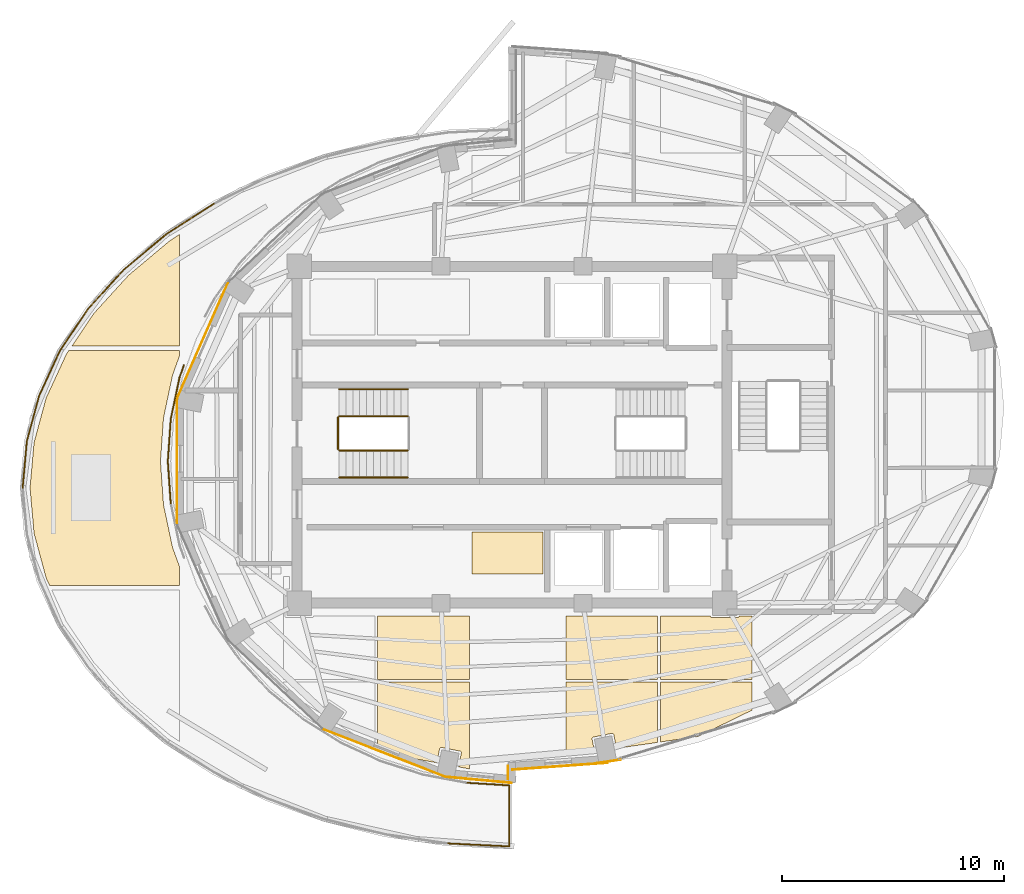
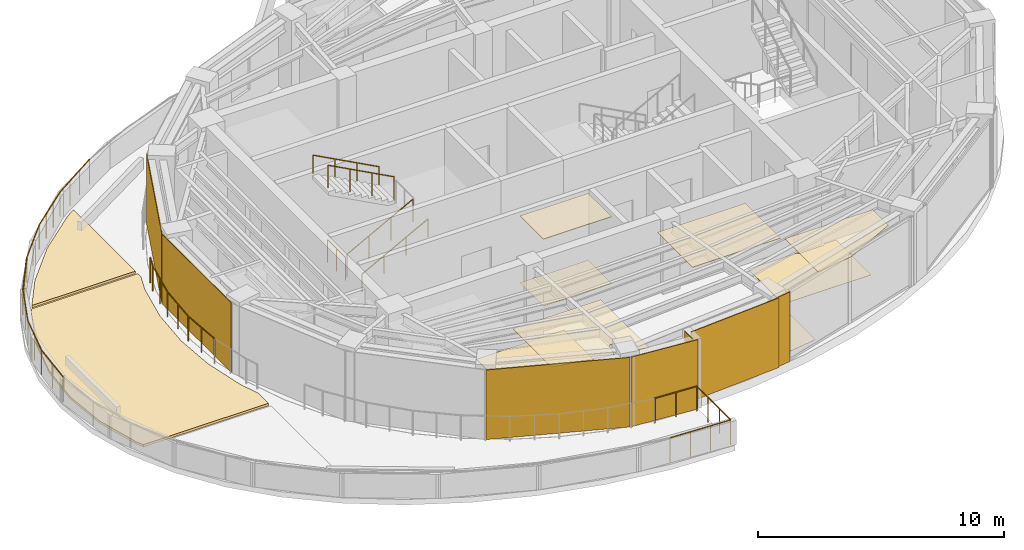
# One storey, part 13 of 15: 19 railings, 17 coverings.
"""IFC4 building model written with IfcOpenShell, lengths in metres."""

from ifc_helpers import new_model, si_unit, direction, frame, origin, origin_2d, place, context, subcontext, project, spatial, polyline, rectangle, circle, outline, extrude, material, layer, layer_set, type_object, element, save


model = new_model("IFC4")

# Units and contexts
model_context = context("Model", 3, precision=1e-05, world=origin(), true_north=direction((0.0, 1.0)))
body_context = subcontext(model_context, "Body", "Model", "MODEL_VIEW")
ifc_project = project(units=[si_unit("LENGTHUNIT", "METRE"), si_unit("AREAUNIT", "SQUARE_METRE"), si_unit("VOLUMEUNIT", "CUBIC_METRE"), si_unit("PLANEANGLEUNIT", "RADIAN"), si_unit("MASSUNIT", "GRAM", prefix="KILO")], contexts=[model_context])

# Site, building, storey
site_placement = place(None, origin())
site = spatial("IfcSite", under=ifc_project, at=site_placement, CompositionType="ELEMENT")
building_placement = place(site_placement, origin())
building = spatial("IfcBuilding", under=site, at=building_placement, Name="Lazwardi Medical Tower", CompositionType="ELEMENT")
storey_placement = place(building_placement, frame((0.0, 0.0, 269.615966796875)))
storey = spatial("IfcBuildingStorey", under=building, at=storey_placement, Name="L70", CompositionType="ELEMENT", Elevation=269.615966796875)

# Coverings
ifc_material_1 = material(Name="Anodised bronze aluminium cassette cladding", Category="aluminium")
ifc_layer_1 = layer(ifc_material_1, 0.030029296875)
ifc_layer_set_1 = layer_set([ifc_layer_1], Name="Anodised bronze aluminium cassette cladding")
covering_type_1 = type_object("IfcCoveringType", Name="COV-CLD-BRZ", PredefinedType="CLADDING", material=ifc_layer_set_1)
covering_1_placement = place(storey_placement, frame((40.3232421875, 13.25048828125, 0.0), z_axis=(0.0, 0.0, 1.0), x_axis=(0.989512431533, 0.144447733943, 0.0)))
element("IfcCovering", 1, at=covering_1_placement, inside=storey, type_object=covering_type_1, Name="L70 Mega-column bronze cassette cover M01", PredefinedType="CLADDING", context=body_context, shape_type="SweptSolid", body=[
    extrude(rectangle(XDim=1.188720703125, YDim=0.030029296875, at=origin_2d()), origin(), (0.0, 0.0, 1.0), 3.447998046875),
])
covering_2_placement = place(storey_placement, frame((22.032470703125, 32.25146484375, 0.0), z_axis=(0.0, 0.0, 1.0), x_axis=(-0.402877682365, -0.915253829848, 0.0)))
element("IfcCovering", 2, at=covering_2_placement, inside=storey, type_object=covering_type_1, Name="L70 West drum ceramic/bronze cladding", PredefinedType="CLADDING", context=body_context, shape_type="SweptSolid", body=[
    extrude(rectangle(XDim=5.65576171875, YDim=0.030029296875, at=origin_2d()), origin(), (0.0, 0.0, 1.0), 3.447998046875),
])
covering_3_placement = place(storey_placement, frame((20.880126953125, 26.800048828125, 0.0), z_axis=(0.0, 0.0, 1.0), x_axis=(0.0, -1.0, 0.0)))
element("IfcCovering", 3, at=covering_3_placement, inside=storey, type_object=covering_type_1, Name="L70 West drum ceramic/bronze cladding", PredefinedType="CLADDING", context=body_context, shape_type="SweptSolid", body=[
    extrude(rectangle(XDim=5.60302734375, YDim=0.030029296875, at=origin_2d()), origin(), (0.0, 0.0, 1.0), 3.447998046875),
])
ifc_material_2 = material(Name="Turquoise glazed ceramic tilework cladding", Category="masonry")
ifc_layer_2 = layer(ifc_material_2, 0.034912109375)
ifc_layer_set_2 = layer_set([ifc_layer_2], Name="Turquoise glazed ceramic tilework cladding")
covering_type_2 = type_object("IfcCoveringType", Name="COV-CLD-TRQ", PredefinedType="CLADDING", material=ifc_layer_set_2)
covering_4_placement = place(storey_placement, frame((30.216064453125, 13.64306640625, 0.0), z_axis=(0.0, 0.0, 1.0), x_axis=(0.931720388261, -0.363176428337, 0.0)))
element("IfcCovering", 4, at=covering_4_placement, inside=storey, type_object=covering_type_2, Name="L70 West drum ceramic/bronze cladding", PredefinedType="CLADDING", context=body_context, shape_type="SweptSolid", body=[
    extrude(rectangle(XDim=5.904052734375, YDim=0.034912109375, at=origin_2d()), origin(), (0.0, 0.0, 1.0), 3.447998046875),
])
covering_5_placement = place(storey_placement, frame((38.16259765625, 13.0400390625, 0.0), z_axis=(0.0, 0.0, 1.0), x_axis=(0.997409491337, 0.071932653157, 0.0)))
element("IfcCovering", 5, at=covering_5_placement, inside=storey, type_object=covering_type_2, Name="L70 Turquoise glazed ceramic tilework cladding", PredefinedType="CLADDING", context=body_context, shape_type="SweptSolid", body=[
    extrude(rectangle(XDim=4.31103515625, YDim=0.034912109375, at=origin_2d()), origin(), (0.0, 0.0, 1.0), 3.447998046875),
])
covering_6_placement = place(storey_placement, frame((34.4970703125, 12.423095703125, 0.0), z_axis=(0.0, 0.0, 1.0), x_axis=(0.995733560537, -0.092275004312, 0.0)))
element("IfcCovering", 6, at=covering_6_placement, inside=storey, type_object=covering_type_2, Name="L70 Turquoise glazed ceramic tilework cladding", PredefinedType="CLADDING", context=body_context, shape_type="SweptSolid", body=[
    extrude(rectangle(XDim=2.985595703125, YDim=0.034912109375, at=origin_2d()), origin(), (0.0, 0.0, 1.0), 3.447998046875),
])
covering_7_placement = place(storey_placement, frame((35.824462890625, 12.760009765625, 0.0), z_axis=(0.0, 0.0, 1.0), x_axis=(0.0, 1.0, 0.0)))
element("IfcCovering", 7, at=covering_7_placement, inside=storey, type_object=covering_type_2, Name="L70 Turquoise glazed ceramic tilework iwan panel", PredefinedType="CLADDING", context=body_context, shape_type="SweptSolid", body=[
    extrude(rectangle(XDim=0.60009765625, YDim=0.034912109375, at=origin_2d()), origin(), (0.0, 0.0, 1.0), 3.447998046875),
])
ifc_material_3 = material(Name="Acoustic mineral fibre tile")
ifc_layer_3 = layer(ifc_material_3, 0.02490234375)
ifc_layer_set_3 = layer_set([ifc_layer_3], Name="Acoustic mineral fibre tile")
covering_type_3 = type_object("IfcCoveringType", Name="COV-CLG-01", PredefinedType="CEILING", material=ifc_layer_set_3)
covering_8_placement = place(storey_placement, frame((0.0, 0.0, 3.302978515625)))
element("IfcCovering", 8, at=covering_8_placement, inside=storey, type_object=covering_type_3, Name="L70 Clinical Acoustic Ceiling 4", PredefinedType="CEILING", context=body_context, shape_type="SweptSolid", body=[
    extrude(outline(polyline([(29.94189453125, 13.8115234375), (30.205322265625, 13.645751953125), (32.608642578125, 13.196044921875), (32.7333984375, 13.82373046875), (32.7353515625, 13.831298828125), (32.738037109375, 13.838623046875), (32.741455078125, 13.845703125), (32.74560546875, 13.8525390625), (32.750244140625, 13.85888671875), (32.75537109375, 13.86474609375), (32.76123046875, 13.869873046875), (32.767578125, 13.87451171875), (32.7744140625, 13.878662109375), (32.781494140625, 13.882080078125), (32.788818359375, 13.884765625), (32.79638671875, 13.88671875), (32.80419921875, 13.8876953125), (32.81201171875, 13.88818359375), (32.81982421875, 13.8876953125), (32.82763671875, 13.88671875), (33.6513671875, 13.72265625), (33.658935546875, 13.720703125), (33.66650390625, 13.718017578125), (33.673583984375, 13.71484375), (33.68017578125, 13.710693359375), (33.6865234375, 13.7060546875), (33.6923828125, 13.70068359375), (33.697509765625, 13.695068359375), (33.702392578125, 13.688720703125), (33.706298828125, 13.681884765625), (33.709716796875, 13.6748046875), (33.71240234375, 13.66748046875), (33.71435546875, 13.659912109375), (33.71533203125, 13.652099609375), (33.7158203125, 13.644287109375), (33.71533203125, 13.636474609375), (33.71435546875, 13.628662109375), (33.591552734375, 13.01220703125), (34.07177734375, 12.922119140625), (34.07177734375, 16.846435546875), (29.94189453125, 16.846435546875), (29.94189453125, 13.8115234375)])), origin(), (0.0, 0.0, 1.0), 0.025146484375),
])
covering_9_placement = place(storey_placement, frame((0.0, 0.0, 3.302978515625)))
element("IfcCovering", 9, at=covering_9_placement, inside=storey, type_object=covering_type_3, Name="L70 Clinical Acoustic Ceiling 5", PredefinedType="CEILING", context=body_context, shape_type="SweptSolid", body=[
    extrude(outline(polyline([(37.389892578125, 21.71630859375), (37.389892578125, 23.6201171875), (34.19189453125, 23.6201171875), (34.19189453125, 21.71630859375), (37.389892578125, 21.71630859375)])), origin(), (0.0, 0.0, 1.0), 0.025146484375),
])
covering_10_placement = place(storey_placement, frame((0.0, 0.0, 3.302978515625)))
element("IfcCovering", 10, at=covering_10_placement, inside=storey, type_object=covering_type_3, Name="L70 Clinical Acoustic Ceiling 7", PredefinedType="CEILING", context=body_context, shape_type="SweptSolid", body=[
    extrude(outline(polyline([(42.57177734375, 19.820068359375), (38.44189453125, 19.820068359375), (38.44189453125, 16.96630859375), (42.57177734375, 16.96630859375), (42.57177734375, 19.820068359375)])), origin(), (0.0, 0.0, 1.0), 0.025146484375),
])
covering_11_placement = place(storey_placement, frame((0.0, 0.0, 3.302978515625)))
element("IfcCovering", 11, at=covering_11_placement, inside=storey, type_object=covering_type_3, Name="L70 Clinical Acoustic Ceiling 8", PredefinedType="CEILING", context=body_context, shape_type="SweptSolid", body=[
    extrude(outline(polyline([(42.69189453125, 14.13525390625), (44.40283203125, 14.384521484375), (46.82177734375, 15.567626953125), (46.82177734375, 16.846435546875), (42.69189453125, 16.846435546875), (42.69189453125, 14.13525390625)])), origin(), (0.0, 0.0, 1.0), 0.025146484375),
])
ifc_material_4 = material(Name="Anti-static hospital vinyl sheet flooring")
ifc_layer_4 = layer(ifc_material_4, 0.014892578125)
ifc_layer_set_4 = layer_set([ifc_layer_4], Name="Anti-static hospital vinyl sheet flooring")
covering_type_4 = type_object("IfcCoveringType", Name="COV-FLR-01", PredefinedType="FLOORING", material=ifc_layer_set_4)
covering_12_placement = place(storey_placement, origin())
element("IfcCovering", 12, at=covering_12_placement, inside=storey, type_object=covering_type_4, Name="L70 Clinical Vinyl Flooring 3", PredefinedType="FLOORING", context=body_context, shape_type="SweptSolid", body=[
    extrude(outline(polyline([(34.07177734375, 19.820068359375), (29.94189453125, 19.820068359375), (29.94189453125, 16.96630859375), (34.07177734375, 16.96630859375), (34.07177734375, 19.820068359375)])), origin(), (0.0, 0.0, 1.0), 0.01513671875),
])
covering_13_placement = place(storey_placement, origin())
element("IfcCovering", 13, at=covering_13_placement, inside=storey, type_object=covering_type_4, Name="L70 Clinical Vinyl Flooring 5", PredefinedType="FLOORING", context=body_context, shape_type="SweptSolid", body=[
    extrude(outline(polyline([(37.389892578125, 21.71630859375), (37.389892578125, 23.6201171875), (34.19189453125, 23.6201171875), (34.19189453125, 21.71630859375), (37.389892578125, 21.71630859375)])), origin(), (0.0, 0.0, 1.0), 0.01513671875),
])
covering_14_placement = place(storey_placement, origin())
element("IfcCovering", 14, at=covering_14_placement, inside=storey, type_object=covering_type_4, Name="L70 Clinical Vinyl Flooring 7", PredefinedType="FLOORING", context=body_context, shape_type="SweptSolid", body=[
    extrude(outline(polyline([(38.44189453125, 13.516357421875), (39.723876953125, 13.703125), (39.6123046875, 14.26318359375), (39.611328125, 14.27099609375), (39.61083984375, 14.27880859375), (39.611328125, 14.28662109375), (39.6123046875, 14.29443359375), (39.6142578125, 14.302001953125), (39.616943359375, 14.309326171875), (39.620361328125, 14.31640625), (39.62451171875, 14.3232421875), (39.629150390625, 14.32958984375), (39.63427734375, 14.33544921875), (39.64013671875, 14.340576171875), (39.646484375, 14.34521484375), (39.6533203125, 14.349365234375), (39.660400390625, 14.352783203125), (39.667724609375, 14.35546875), (39.67529296875, 14.357421875), (40.4990234375, 14.521240234375), (40.5068359375, 14.522216796875), (40.5146484375, 14.522705078125), (40.5224609375, 14.522216796875), (40.5302734375, 14.521240234375), (40.537841796875, 14.519287109375), (40.54541015625, 14.5166015625), (40.552490234375, 14.51318359375), (40.55908203125, 14.50927734375), (40.5654296875, 14.50439453125), (40.5712890625, 14.499267578125), (40.576416015625, 14.493408203125), (40.581298828125, 14.4873046875), (40.585205078125, 14.48046875), (40.588623046875, 14.473388671875), (40.59130859375, 14.4658203125), (40.59326171875, 14.458251953125), (40.714599609375, 13.847412109375), (42.57177734375, 14.117919921875), (42.57177734375, 16.846435546875), (38.44189453125, 16.846435546875), (38.44189453125, 13.516357421875)])), origin(), (0.0, 0.0, 1.0), 0.01513671875),
])
covering_15_placement = place(storey_placement, origin())
element("IfcCovering", 15, at=covering_15_placement, inside=storey, type_object=covering_type_4, Name="L70 Clinical Vinyl Flooring 9", PredefinedType="FLOORING", context=body_context, shape_type="SweptSolid", body=[
    extrude(outline(polyline([(46.82177734375, 19.820068359375), (46.249267578125, 19.820068359375), (46.24853515625, 19.814453125), (46.24658203125, 19.806884765625), (46.243896484375, 19.79931640625), (46.240478515625, 19.792236328125), (46.236572265625, 19.78564453125), (46.231689453125, 19.779296875), (46.2265625, 19.7734375), (46.220703125, 19.768310546875), (46.21435546875, 19.763427734375), (46.207763671875, 19.759521484375), (46.20068359375, 19.756103515625), (46.193115234375, 19.75341796875), (46.185546875, 19.75146484375), (46.177734375, 19.75048828125), (46.169921875, 19.75), (45.030029296875, 19.75), (45.022216796875, 19.75048828125), (45.014404296875, 19.75146484375), (45.0068359375, 19.75341796875), (44.99951171875, 19.756103515625), (44.9921875, 19.759521484375), (44.985595703125, 19.763427734375), (44.979248046875, 19.768310546875), (44.973388671875, 19.7734375), (44.96826171875, 19.779296875), (44.96337890625, 19.78564453125), (44.95947265625, 19.792236328125), (44.9560546875, 19.79931640625), (44.953369140625, 19.806884765625), (44.951416015625, 19.814453125), (44.95068359375, 19.820068359375), (42.69189453125, 19.820068359375), (42.69189453125, 16.96630859375), (46.82177734375, 16.96630859375), (46.82177734375, 19.820068359375)])), origin(), (0.0, 0.0, 1.0), 0.01513671875),
])
ifc_material_5 = material(Name="EPDM waterproof membrane and XPS insulation")
ifc_layer_5 = layer(ifc_material_5, 0.1201171875)
ifc_layer_set_5 = layer_set([ifc_layer_5], Name="EPDM waterproof membrane and XPS insulation")
covering_type_5 = type_object("IfcCoveringType", Name="COV-ROOF-01", PredefinedType="ROOFING", material=ifc_layer_set_5)
covering_16_placement = place(storey_placement, origin())
element("IfcCovering", 16, at=covering_16_placement, inside=storey, type_object=covering_type_5, Name="L70 West Terrace Waterproofing Membrane 2", PredefinedType="ROOFING", context=body_context, shape_type="SweptSolid", body=[
    extrude(outline(polyline([(21.0, 31.563232421875), (21.0, 31.800048828125), (16.006591796875, 31.800048828125), (15.88330078125, 31.616455078125), (14.980712890625, 29.664306640625), (14.4345703125, 27.648193359375), (14.251708984375, 25.60009765625), (14.4345703125, 23.5517578125), (14.980712890625, 21.53564453125), (15.135986328125, 21.199951171875), (21.0, 21.199951171875), (21.0, 22.036865234375), (20.69189453125, 22.89111328125), (20.6826171875, 22.920654296875), (20.68212890625, 22.921875), (20.674560546875, 22.951904296875), (20.281494140625, 24.812255859375), (20.276123046875, 24.843017578125), (20.276123046875, 24.844482421875), (20.272705078125, 24.87548828125), (20.14111328125, 26.76806640625), (20.139892578125, 26.79931640625), (20.139892578125, 26.80078125), (20.14111328125, 26.831787109375), (20.272705078125, 28.724609375), (20.276123046875, 28.755615234375), (20.276123046875, 28.7568359375), (20.281494140625, 28.78759765625), (20.674560546875, 30.64794921875), (20.68212890625, 30.677978515625), (20.6826171875, 30.679443359375), (20.69189453125, 30.708984375), (21.0, 31.563232421875)])), origin(), (0.0, 0.0, 1.0), 0.1201171875),
])
covering_17_placement = place(storey_placement, origin())
element("IfcCovering", 17, at=covering_17_placement, inside=storey, type_object=covering_type_5, Name="L70 West Terrace Waterproofing Membrane 3", PredefinedType="ROOFING", context=body_context, shape_type="SweptSolid", body=[
    extrude(outline(polyline([(16.14111328125, 32.0), (21.0, 32.0), (21.0, 37.039794921875), (20.569580078125, 36.7626953125), (18.699951171875, 35.197509765625), (17.12939453125, 33.4716796875), (16.14111328125, 32.0)])), origin(), (0.0, 0.0, 1.0), 0.1201171875),
])

# Railings
ifc_material_6 = material(Name="Stainless steel Grade 316", Category="steel")
railing_type_1 = type_object("IfcRailingType", Name="RLG-GRD-1150", PredefinedType="GUARDRAIL", material=ifc_material_6)
railing_1_placement = place(storey_placement, frame((28.199951171875, 27.2900390625, 0.165771484375)))
element("IfcRailing", 18, at=railing_1_placement, inside=storey, type_object=railing_type_1, Name="L70 ST1 stair guard 1", PredefinedType="GUARDRAIL", context=body_context, shape_type="SweptSolid", body=[
    extrude(circle(Radius=0.02392578125, at=origin_2d()), frame((0.0, 0.0, 1.1259765625), z_axis=(0.881783298633, 0.0, 0.471654761719), x_axis=(0.0, 1.0, 0.0)), (0.0, 0.0, 1.0), 3.515625),
    extrude(circle(Radius=0.02099609375, at=origin_2d()), origin(), (0.0, 0.0, 1.0), 1.099853515625),
    extrude(circle(Radius=0.02099609375, at=origin_2d()), frame((1.033447265625, 0.0, 0.552734375)), (0.0, 0.0, 1.0), 1.099853515625),
    extrude(circle(Radius=0.02099609375, at=origin_2d()), frame((2.066650390625, 0.0, 1.10546875)), (0.0, 0.0, 1.0), 1.099853515625),
    extrude(circle(Radius=0.02099609375, at=origin_2d()), frame((3.10009765625, 0.0, 1.658203125)), (0.0, 0.0, 1.0), 1.099853515625),
])
railing_2_placement = place(storey_placement, frame((31.300048828125, 28.830078125, 1.98974609375)))
element("IfcRailing", 19, at=railing_2_placement, inside=storey, type_object=railing_type_1, Name="L70 ST1 stair guard 3", PredefinedType="GUARDRAIL", context=body_context, shape_type="SweptSolid", body=[
    extrude(circle(Radius=0.02392578125, at=origin_2d()), frame((0.0, 0.0, 1.1259765625), z_axis=(-0.881783298633, 0.0, 0.471654761719), x_axis=(0.0, -1.0, 0.0)), (0.0, 0.0, 1.0), 3.515625),
    extrude(circle(Radius=0.02099609375, at=origin_2d()), origin(), (0.0, 0.0, 1.0), 1.099853515625),
    extrude(circle(Radius=0.02099609375, at=origin_2d()), frame((-1.033447265625, 0.0, 0.552734375)), (0.0, 0.0, 1.0), 1.099853515625),
    extrude(circle(Radius=0.02099609375, at=origin_2d()), frame((-2.066650390625, 0.0, 1.10546875)), (0.0, 0.0, 1.0), 1.099853515625),
    extrude(circle(Radius=0.02099609375, at=origin_2d()), frame((-3.10009765625, 0.0, 1.658203125)), (0.0, 0.0, 1.0), 1.099853515625),
])
railing_3_placement = place(storey_placement, frame((28.14990234375, 27.340087890625, 0.0)))
element("IfcRailing", 20, at=railing_3_placement, inside=storey, type_object=railing_type_1, Name="L70 ST1 stair guard 4", PredefinedType="GUARDRAIL", context=body_context, shape_type="SweptSolid", body=[
    extrude(circle(Radius=0.02392578125, at=origin_2d()), frame((0.0, 0.0, 1.1259765625), z_axis=(0.0, 1.0, 0.0), x_axis=(-1.0, 0.0, 0.0)), (0.0, 0.0, 1.0), 1.43994140625),
    extrude(circle(Radius=0.02099609375, at=origin_2d()), origin(), (0.0, 0.0, 1.0), 1.099853515625),
    extrude(circle(Radius=0.02099609375, at=origin_2d()), frame((0.0, 0.719970703125, 0.0)), (0.0, 0.0, 1.0), 1.099853515625),
    extrude(circle(Radius=0.02099609375, at=origin_2d()), frame((0.0, 1.43994140625, 0.0)), (0.0, 0.0, 1.0), 1.099853515625),
])
railing_type_2 = type_object("IfcRailingType", Name="RLG-HND-920", PredefinedType="HANDRAIL", material=ifc_material_6)
railing_4_placement = place(storey_placement, frame((28.199951171875, 26.070068359375, 0.165771484375)))
element("IfcRailing", 21, at=railing_4_placement, inside=storey, type_object=railing_type_2, Name="L70 ST1 stair handrail 1", PredefinedType="HANDRAIL", context=body_context, shape_type="SweptSolid", body=[
    extrude(circle(Radius=0.02392578125, at=origin_2d()), frame((0.0, 0.0, 0.8857421875), z_axis=(0.881783298633, 0.0, 0.471654761719), x_axis=(0.0, 1.0, 0.0)), (0.0, 0.0, 1.0), 3.515625),
    extrude(circle(Radius=0.02099609375, at=origin_2d()), origin(), (0.0, 0.0, 1.0), 0.85986328125),
    extrude(circle(Radius=0.02099609375, at=origin_2d()), frame((1.033447265625, 0.0, 0.552734375)), (0.0, 0.0, 1.0), 0.85986328125),
    extrude(circle(Radius=0.02099609375, at=origin_2d()), frame((2.066650390625, 0.0, 1.10546875)), (0.0, 0.0, 1.0), 0.85986328125),
    extrude(circle(Radius=0.02099609375, at=origin_2d()), frame((3.10009765625, 0.0, 1.658203125)), (0.0, 0.0, 1.0), 0.85986328125),
])
railing_5_placement = place(storey_placement, frame((31.300048828125, 30.050048828125, 1.98974609375)))
element("IfcRailing", 22, at=railing_5_placement, inside=storey, type_object=railing_type_2, Name="L70 ST1 stair handrail 2", PredefinedType="HANDRAIL", context=body_context, shape_type="SweptSolid", body=[
    extrude(circle(Radius=0.02392578125, at=origin_2d()), frame((0.0, 0.0, 0.8857421875), z_axis=(-0.881783298633, 0.0, 0.471654761719), x_axis=(0.0, -1.0, 0.0)), (0.0, 0.0, 1.0), 3.515625),
    extrude(circle(Radius=0.02099609375, at=origin_2d()), origin(), (0.0, 0.0, 1.0), 0.85986328125),
    extrude(circle(Radius=0.02099609375, at=origin_2d()), frame((-1.033447265625, 0.0, 0.552734375)), (0.0, 0.0, 1.0), 0.85986328125),
    extrude(circle(Radius=0.02099609375, at=origin_2d()), frame((-2.066650390625, 0.0, 1.10546875)), (0.0, 0.0, 1.0), 0.85986328125),
    extrude(circle(Radius=0.02099609375, at=origin_2d()), frame((-3.10009765625, 0.0, 1.658203125)), (0.0, 0.0, 1.0), 0.85986328125),
])
ifc_material_7 = material(Name="Anodised bronze aluminium and laminated glass", Category="aluminium")
railing_type_3 = type_object("IfcRailingType", Name="RLG-SKG-1250", PredefinedType="GUARDRAIL", material=ifc_material_7)
railing_6_placement = place(storey_placement, frame((35.8798828125, 9.42578125, 0.0)))
element("IfcRailing", 23, at=railing_6_placement, inside=storey, type_object=railing_type_3, Name="L70 West Roof Terrace Perimeter Guard 01", PredefinedType="GUARDRAIL", context=body_context, shape_type="SweptSolid", body=[
    extrude(circle(Radius=0.02392578125, at=origin_2d()), frame((0.0, 0.0, 1.22607421875), z_axis=(-0.998840645178, 0.048139023062, 0.0), x_axis=(-0.048139023062, -0.998840645178, 0.0)), (0.0, 0.0, 1.0), 2.76904296875),
    extrude(circle(Radius=0.02099609375, at=origin_2d()), origin(), (0.0, 0.0, 1.0), 1.199951171875),
    extrude(circle(Radius=0.02099609375, at=origin_2d()), frame((-0.921875, 0.04443359375, 0.0)), (0.0, 0.0, 1.0), 1.199951171875),
    extrude(circle(Radius=0.02099609375, at=origin_2d()), frame((-1.843994140625, 0.0888671875, 0.0)), (0.0, 0.0, 1.0), 1.199951171875),
    extrude(circle(Radius=0.02099609375, at=origin_2d()), frame((-2.765869140625, 0.13330078125, 0.0)), (0.0, 0.0, 1.0), 1.199951171875),
])
railing_7_placement = place(storey_placement, frame((13.92041015625, 25.60009765625, 0.0)))
element("IfcRailing", 24, at=railing_7_placement, inside=storey, type_object=railing_type_3, Name="L70 West Roof Terrace Perimeter Guard 13", PredefinedType="GUARDRAIL", context=body_context, shape_type="SweptSolid", body=[
    extrude(circle(Radius=0.02392578125, at=origin_2d()), frame((0.0, 0.0, 1.22607421875), z_axis=(0.088901256759, 0.996040444232, 0.0), x_axis=(-0.996040444232, 0.088901256759, 0.0)), (0.0, 0.0, 1.0), 2.114501953125),
    extrude(circle(Radius=0.02099609375, at=origin_2d()), origin(), (0.0, 0.0, 1.0), 1.199951171875),
    extrude(circle(Radius=0.02099609375, at=origin_2d()), frame((0.093994140625, 1.05322265625, 0.0)), (0.0, 0.0, 1.0), 1.199951171875),
    extrude(circle(Radius=0.02099609375, at=origin_2d()), frame((0.18798828125, 2.106201171875, 0.0)), (0.0, 0.0, 1.0), 1.199951171875),
])
railing_8_placement = place(storey_placement, frame((14.1083984375, 27.706298828125, 0.0)))
element("IfcRailing", 25, at=railing_8_placement, inside=storey, type_object=railing_type_3, Name="L70 West Roof Terrace Perimeter Guard 14", PredefinedType="GUARDRAIL", context=body_context, shape_type="SweptSolid", body=[
    extrude(circle(Radius=0.02392578125, at=origin_2d()), frame((0.0, 0.0, 1.22607421875), z_axis=(0.261547962546, 0.965190480314, 0.0), x_axis=(-0.965190480314, 0.261547962546, 0.0)), (0.0, 0.0, 1.0), 2.14599609375),
    extrude(circle(Radius=0.02099609375, at=origin_2d()), origin(), (0.0, 0.0, 1.0), 1.199951171875),
    extrude(circle(Radius=0.02099609375, at=origin_2d()), frame((0.28076171875, 1.03564453125, 0.0)), (0.0, 0.0, 1.0), 1.199951171875),
    extrude(circle(Radius=0.02099609375, at=origin_2d()), frame((0.561279296875, 2.0712890625, 0.0)), (0.0, 0.0, 1.0), 1.199951171875),
])
railing_9_placement = place(storey_placement, frame((14.669677734375, 29.777587890625, 0.0)))
element("IfcRailing", 26, at=railing_9_placement, inside=storey, type_object=railing_type_3, Name="L70 West Roof Terrace Perimeter Guard 15", PredefinedType="GUARDRAIL", context=body_context, shape_type="SweptSolid", body=[
    extrude(circle(Radius=0.02392578125, at=origin_2d()), frame((0.0, 0.0, 1.22607421875), z_axis=(0.419584785813, 0.907716149198, 0.0), x_axis=(-0.907716149198, 0.419584785813, 0.0)), (0.0, 0.0, 1.0), 2.20458984375),
    extrude(circle(Radius=0.02099609375, at=origin_2d()), origin(), (0.0, 0.0, 1.0), 1.199951171875),
    extrude(circle(Radius=0.02099609375, at=origin_2d()), frame((0.46240234375, 1.00048828125, 0.0)), (0.0, 0.0, 1.0), 1.199951171875),
    extrude(circle(Radius=0.02099609375, at=origin_2d()), frame((0.925048828125, 2.001220703125, 0.0)), (0.0, 0.0, 1.0), 1.199951171875),
])
railing_10_placement = place(storey_placement, frame((15.5947265625, 31.77880859375, 0.0)))
element("IfcRailing", 27, at=railing_10_placement, inside=storey, type_object=railing_type_3, Name="L70 West Roof Terrace Perimeter Guard 16", PredefinedType="GUARDRAIL", context=body_context, shape_type="SweptSolid", body=[
    extrude(circle(Radius=0.02392578125, at=origin_2d()), frame((0.0, 0.0, 1.22607421875), z_axis=(0.557581457353, 0.830122231009, 0.0), x_axis=(-0.830122231009, 0.557581457353, 0.0)), (0.0, 0.0, 1.0), 2.28515625),
    extrude(circle(Radius=0.02099609375, at=origin_2d()), origin(), (0.0, 0.0, 1.0), 1.199951171875),
    extrude(circle(Radius=0.02099609375, at=origin_2d()), frame((0.63720703125, 0.948486328125, 0.0)), (0.0, 0.0, 1.0), 1.199951171875),
    extrude(circle(Radius=0.02099609375, at=origin_2d()), frame((1.274169921875, 1.89697265625, 0.0)), (0.0, 0.0, 1.0), 1.199951171875),
])
railing_11_placement = place(storey_placement, frame((16.868896484375, 33.67578125, 0.0)))
element("IfcRailing", 28, at=railing_11_placement, inside=storey, type_object=railing_type_3, Name="L70 West Roof Terrace Perimeter Guard 17", PredefinedType="GUARDRAIL", context=body_context, shape_type="SweptSolid", body=[
    extrude(circle(Radius=0.02392578125, at=origin_2d()), frame((0.0, 0.0, 1.22607421875), z_axis=(0.673091337238, 0.739559363226, 0.0), x_axis=(-0.739559363226, 0.673091337238, 0.0)), (0.0, 0.0, 1.0), 2.380126953125),
    extrude(circle(Radius=0.02099609375, at=origin_2d()), origin(), (0.0, 0.0, 1.0), 1.199951171875),
    extrude(circle(Radius=0.02099609375, at=origin_2d()), frame((0.801025390625, 0.880126953125, 0.0)), (0.0, 0.0, 1.0), 1.199951171875),
    extrude(circle(Radius=0.02099609375, at=origin_2d()), frame((1.60205078125, 1.76025390625, 0.0)), (0.0, 0.0, 1.0), 1.199951171875),
])
railing_12_placement = place(storey_placement, frame((18.470947265625, 35.43603515625, 0.0)))
element("IfcRailing", 29, at=railing_12_placement, inside=storey, type_object=railing_type_3, Name="L70 West Roof Terrace Perimeter Guard 18", PredefinedType="GUARDRAIL", context=body_context, shape_type="SweptSolid", body=[
    extrude(circle(Radius=0.02392578125, at=origin_2d()), frame((0.0, 0.0, 1.22607421875), z_axis=(0.766727264554, 0.641972975903, 0.0), x_axis=(-0.641972975903, 0.766727264554, 0.0)), (0.0, 0.0, 1.0), 2.4814453125),
    extrude(circle(Radius=0.02099609375, at=origin_2d()), origin(), (0.0, 0.0, 1.0), 1.199951171875),
    extrude(circle(Radius=0.02099609375, at=origin_2d()), frame((0.63427734375, 0.531005859375, 0.0)), (0.0, 0.0, 1.0), 1.199951171875),
    extrude(circle(Radius=0.02099609375, at=origin_2d()), frame((1.268310546875, 1.06201171875, 0.0)), (0.0, 0.0, 1.0), 1.199951171875),
    extrude(circle(Radius=0.02099609375, at=origin_2d()), frame((1.902587890625, 1.593017578125, 0.0)), (0.0, 0.0, 1.0), 1.199951171875),
])
railing_13_placement = place(storey_placement, frame((20.37353515625, 37.029052734375, 0.0)))
element("IfcRailing", 30, at=railing_13_placement, inside=storey, type_object=railing_type_3, Name="L70 West Roof Terrace Perimeter Guard 19", PredefinedType="GUARDRAIL", context=body_context, shape_type="SweptSolid", body=[
    extrude(circle(Radius=0.02392578125, at=origin_2d()), frame((0.0, 0.0, 1.22607421875), z_axis=(0.840788130606, 0.541364313039, 0.0), x_axis=(-0.541364313039, 0.840788130606, 0.0)), (0.0, 0.0, 1.0), 2.582275390625),
    extrude(circle(Radius=0.02099609375, at=origin_2d()), origin(), (0.0, 0.0, 1.0), 1.199951171875),
    extrude(circle(Radius=0.02099609375, at=origin_2d()), frame((0.7236328125, 0.466064453125, 0.0)), (0.0, 0.0, 1.0), 1.199951171875),
    extrude(circle(Radius=0.02099609375, at=origin_2d()), frame((1.447509765625, 0.931884765625, 0.0)), (0.0, 0.0, 1.0), 1.199951171875),
    extrude(circle(Radius=0.02099609375, at=origin_2d()), frame((2.171142578125, 1.39794921875, 0.0)), (0.0, 0.0, 1.0), 1.199951171875),
])
railing_14_placement = place(storey_placement, frame((21.19921875, 31.14306640625, 0.0)))
element("IfcRailing", 31, at=railing_14_placement, inside=storey, type_object=railing_type_3, Name="L70 West Roof Terrace Perimeter Guard 35", PredefinedType="GUARDRAIL", context=body_context, shape_type="SweptSolid", body=[
    extrude(circle(Radius=0.02392578125, at=origin_2d()), frame((0.0, 0.0, 1.22607421875), z_axis=(-0.338972626929, -0.940796236277, 0.0), x_axis=(0.940796236277, -0.338972626929, 0.0)), (0.0, 0.0, 1.0), 0.58056640625),
    extrude(circle(Radius=0.02099609375, at=origin_2d()), origin(), (0.0, 0.0, 1.0), 1.199951171875),
    extrude(circle(Radius=0.02099609375, at=origin_2d()), frame((-0.19677734375, -0.546142578125, 0.0)), (0.0, 0.0, 1.0), 1.199951171875),
])
railing_15_placement = place(storey_placement, frame((20.99755859375, 30.579833984375, 0.0)))
element("IfcRailing", 32, at=railing_15_placement, inside=storey, type_object=railing_type_3, Name="L70 West Roof Terrace Perimeter Guard 36", PredefinedType="GUARDRAIL", context=body_context, shape_type="SweptSolid", body=[
    extrude(circle(Radius=0.02392578125, at=origin_2d()), frame((0.0, 0.0, 1.22607421875), z_axis=(-0.206722240115, -0.978399670606, 0.0), x_axis=(0.978399670606, -0.206722240115, 0.0)), (0.0, 0.0, 1.0), 1.9013671875),
    extrude(circle(Radius=0.02099609375, at=origin_2d()), origin(), (0.0, 0.0, 1.0), 1.199951171875),
    extrude(circle(Radius=0.02099609375, at=origin_2d()), frame((-0.196533203125, -0.93017578125, 0.0)), (0.0, 0.0, 1.0), 1.199951171875),
    extrude(circle(Radius=0.02099609375, at=origin_2d()), frame((-0.39306640625, -1.8603515625, 0.0)), (0.0, 0.0, 1.0), 1.199951171875),
])
railing_16_placement = place(storey_placement, frame((20.60205078125, 28.70166015625, 0.0)))
element("IfcRailing", 33, at=railing_16_placement, inside=storey, type_object=railing_type_3, Name="L70 West Roof Terrace Perimeter Guard 37", PredefinedType="GUARDRAIL", context=body_context, shape_type="SweptSolid", body=[
    extrude(circle(Radius=0.02392578125, at=origin_2d()), frame((0.0, 0.0, 1.22607421875), z_axis=(-0.069491046265, -0.997582575273, 0.0), x_axis=(0.997582575273, -0.069491046265, 0.0)), (0.0, 0.0, 1.0), 1.897216796875),
    extrude(circle(Radius=0.02099609375, at=origin_2d()), origin(), (0.0, 0.0, 1.0), 1.199951171875),
    extrude(circle(Radius=0.02099609375, at=origin_2d()), frame((-0.06591796875, -0.9462890625, 0.0)), (0.0, 0.0, 1.0), 1.199951171875),
    extrude(circle(Radius=0.02099609375, at=origin_2d()), frame((-0.1318359375, -1.892578125, 0.0)), (0.0, 0.0, 1.0), 1.199951171875),
])
railing_17_placement = place(storey_placement, frame((20.47021484375, 26.791015625, 0.0)))
element("IfcRailing", 34, at=railing_17_placement, inside=storey, type_object=railing_type_3, Name="L70 West Roof Terrace Perimeter Guard 38", PredefinedType="GUARDRAIL", context=body_context, shape_type="SweptSolid", body=[
    extrude(circle(Radius=0.02392578125, at=origin_2d()), frame((0.0, 0.0, 1.22607421875), z_axis=(0.069491046265, -0.997582575273, 0.0), x_axis=(0.997582575273, 0.069491046265, 0.0)), (0.0, 0.0, 1.0), 1.897216796875),
    extrude(circle(Radius=0.02099609375, at=origin_2d()), origin(), (0.0, 0.0, 1.0), 1.199951171875),
    extrude(circle(Radius=0.02099609375, at=origin_2d()), frame((0.06591796875, -0.9462890625, 0.0)), (0.0, 0.0, 1.0), 1.199951171875),
    extrude(circle(Radius=0.02099609375, at=origin_2d()), frame((0.1318359375, -1.892578125, 0.0)), (0.0, 0.0, 1.0), 1.199951171875),
])
railing_18_placement = place(storey_placement, frame((33.98193359375, 12.294189453125, 0.0)))
element("IfcRailing", 35, at=railing_18_placement, inside=storey, type_object=railing_type_3, Name="L70 West Roof Terrace Perimeter Guard 49", PredefinedType="GUARDRAIL", context=body_context, shape_type="SweptSolid", body=[
    extrude(circle(Radius=0.02392578125, at=origin_2d()), frame((0.0, 0.0, 1.22607421875), z_axis=(0.998106172736, -0.061514778273, 0.0), x_axis=(0.061514778273, 0.998106172736, 0.0)), (0.0, 0.0, 1.0), 1.901123046875),
    extrude(circle(Radius=0.02099609375, at=origin_2d()), origin(), (0.0, 0.0, 1.0), 1.199951171875),
    extrude(circle(Radius=0.02099609375, at=origin_2d()), frame((0.94873046875, -0.05859375, 0.0)), (0.0, 0.0, 1.0), 1.199951171875),
    extrude(circle(Radius=0.02099609375, at=origin_2d()), frame((1.8974609375, -0.116943359375, 0.0)), (0.0, 0.0, 1.0), 1.199951171875),
])
railing_19_placement = place(storey_placement, frame((35.87939453125, 12.17724609375, 0.0)))
element("IfcRailing", 36, at=railing_19_placement, inside=storey, type_object=railing_type_3, Name="L70 West Roof Terrace Perimeter Guard 50", PredefinedType="GUARDRAIL", context=body_context, shape_type="SweptSolid", body=[
    extrude(circle(Radius=0.02392578125, at=origin_2d()), frame((0.0, 0.0, 1.22607421875), z_axis=(0.000177462286, -0.999999984254, 0.0), x_axis=(0.999999984254, 0.000177462286, 0.0)), (0.0, 0.0, 1.0), 2.75146484375),
    extrude(circle(Radius=0.02099609375, at=origin_2d()), origin(), (0.0, 0.0, 1.0), 1.199951171875),
    extrude(circle(Radius=0.02099609375, at=origin_2d()), frame((0.000244140625, -0.917236328125, 0.0)), (0.0, 0.0, 1.0), 1.199951171875),
    extrude(circle(Radius=0.02099609375, at=origin_2d()), frame((0.000244140625, -1.834228515625, 0.0)), (0.0, 0.0, 1.0), 1.199951171875),
    extrude(circle(Radius=0.02099609375, at=origin_2d()), frame((0.00048828125, -2.75146484375, 0.0)), (0.0, 0.0, 1.0), 1.199951171875),
])

save(model, "model.ifc")
